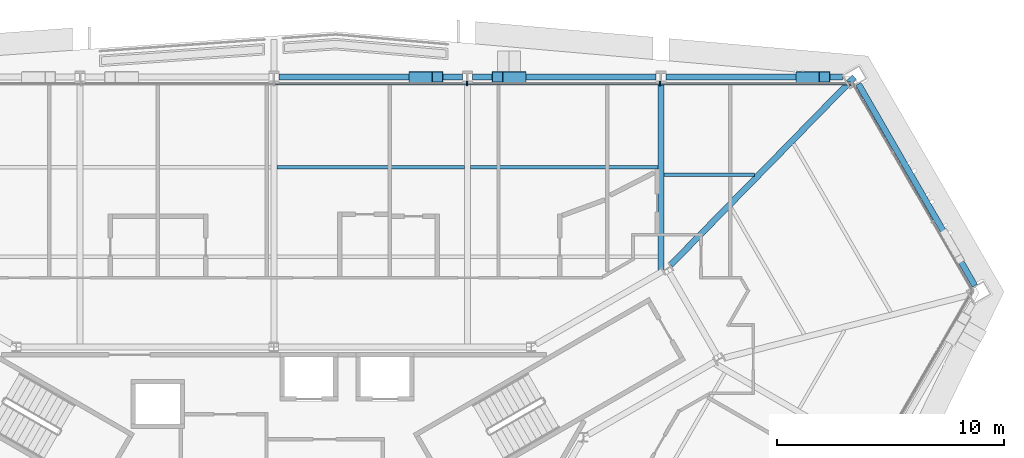
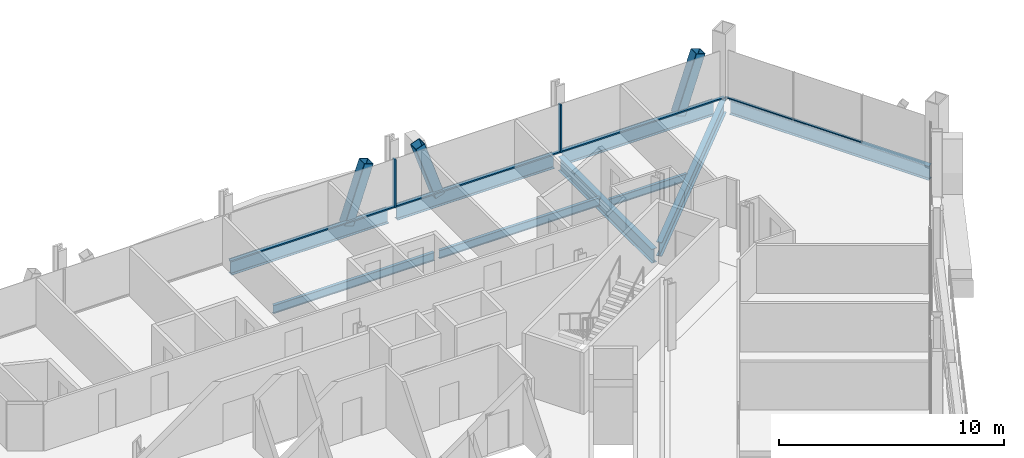
# One storey, part 9 of 18: 10 members, 9 beams, 2 elements without a shape of their own.
"""IFC4 building model written with IfcOpenShell, lengths in metres."""

import ifcopenshell
import ifcopenshell.guid

model = None  # the IFC model being written
_history = None  # IfcOwnerHistory: only IFC2X3 demands one
_inside = {}  # id of a spatial element -> (the spatial element, [elements in it])
_under = {}  # id of a project, library or spatial element -> (it, [spatial elements below it])
_declared = {}  # id of a project -> (the project, [libraries it declares])
_typed = {}  # id of a type object -> (the type object, [elements of that type])
_made_of = {}  # id of a material, layer set ... -> (it, [elements and type objects made of it])


def new_model(schema):
    """Start an empty IFC model of exactly this schema.

    Asked for "IFC4X3", IfcOpenShell would pick the latest addendum, in which some entities
    have other attributes; the version numbers below select the first issue.
    IFC2X3 requires an IfcOwnerHistory on every rooted entity: one is made here for all.
    """
    global model, _history
    if schema == "IFC4X3":
        model = ifcopenshell.file(schema_version=(4, 3, 0, 0))
    else:
        model = ifcopenshell.file(schema=schema)
    _inside.clear()
    _under.clear()
    _declared.clear()
    _typed.clear()
    _made_of.clear()
    _history = None
    if model.schema == "IFC2X3":
        org = make("IfcOrganization", Name="unknown")
        user = make(
            "IfcPersonAndOrganization",
            ThePerson=make("IfcPerson", FamilyName="unknown"),
            TheOrganization=org,
        )
        app = make(
            "IfcApplication",
            ApplicationDeveloper=org,
            Version="unknown",
            ApplicationFullName="unknown",
            ApplicationIdentifier="unknown",
        )
        _history = make(
            "IfcOwnerHistory",
            OwningUser=user,
            OwningApplication=app,
            ChangeAction="ADDED",
            CreationDate=0,
        )
    return model


def make(cls, **values):
    """One entity of the class cls with the attributes given. An attribute that is None is left unset."""
    return model.create_entity(
        cls, **{name: value for name, value in values.items() if value is not None}
    )


def rooted(cls, **values):
    """An entity with a GlobalId (a new one), such as an element, a storey or a relation."""
    return make(cls, GlobalId=ifcopenshell.guid.new(), OwnerHistory=_history, **values)


def si_unit(unit_type, name, prefix=None):
    """IfcSIUnit, for example si_unit("LENGTHUNIT", "METRE", prefix="MILLI")."""
    return make("IfcSIUnit", UnitType=unit_type, Prefix=prefix, Name=name)


def assignment(units):
    """IfcUnitAssignment: the units of a project."""
    return None if units is None else make("IfcUnitAssignment", Units=units)


def point(xyz):
    """IfcCartesianPoint."""
    return None if xyz is None else make("IfcCartesianPoint", Coordinates=xyz)


def direction(xyz):
    """IfcDirection."""
    return None if xyz is None else make("IfcDirection", DirectionRatios=xyz)


def frame(location, z_axis=None, x_axis=None):
    """IfcAxis2Placement3D, a coordinate frame: its origin and axes. An axis left out is left unset."""
    return make(
        "IfcAxis2Placement3D",
        Location=point(location),
        Axis=direction(z_axis),
        RefDirection=direction(x_axis),
    )


def frame_2d(location, x_axis=None):
    """IfcAxis2Placement2D, a coordinate frame in the plane: its origin and x axis."""
    return make(
        "IfcAxis2Placement2D", Location=point(location), RefDirection=direction(x_axis)
    )


def origin():
    """The frame at (0, 0, 0) with its axes left unset."""
    return frame((0.0, 0.0, 0.0))


def origin_2d():
    """The frame at (0, 0) in the plane with its x axis left unset."""
    return frame_2d((0.0, 0.0))


def place(relative_to, where):
    """IfcLocalPlacement: puts the frame where relative to a parent placement (None: the world)."""
    return make(
        "IfcLocalPlacement", PlacementRelTo=relative_to, RelativePlacement=where
    )


def context(
    kind, dimensions, precision=None, world=None, true_north=None, identifier=None
):
    """IfcGeometricRepresentationContext, for example the 3D "Model" context."""
    return make(
        "IfcGeometricRepresentationContext",
        ContextIdentifier=identifier,
        ContextType=kind,
        CoordinateSpaceDimension=dimensions,
        Precision=precision,
        WorldCoordinateSystem=world,
        TrueNorth=true_north,
    )


def subcontext(parent, identifier, kind, view, scale=None):
    """IfcGeometricRepresentationSubContext, for example "Body" below "Model"."""
    return make(
        "IfcGeometricRepresentationSubContext",
        ContextIdentifier=identifier,
        ContextType=kind,
        ParentContext=parent,
        TargetScale=scale,
        TargetView=view,
    )


def project(units=None, contexts=None):
    """IfcProject with its units and contexts."""
    return rooted(
        "IfcProject",
        Name="project",
        RepresentationContexts=contexts,
        UnitsInContext=assignment(units),
    )


def spatial(cls, under=None, at=None, **own):
    """A site, building, storey or space (cls), placed at a placement, below another one or the project."""
    s = rooted(cls, ObjectPlacement=at, **own)
    if under is not None:
        _under.setdefault(under.id(), (under, []))[1].append(s)
    return s


def profile(cls, at=None, kind="AREA", **sizes):
    """A parametric profile (cls). Its sizes go by their IFC names, for example OverallWidth=200.0."""
    return make(cls, ProfileType=kind, Position=at, **sizes)


def rectangle(**sizes):
    """IfcRectangleProfileDef."""
    return profile("IfcRectangleProfileDef", **sizes)


def hollow_rectangle(**sizes):
    """IfcRectangleHollowProfileDef."""
    return profile("IfcRectangleHollowProfileDef", **sizes)


def i_section(**sizes):
    """IfcIShapeProfileDef."""
    return profile("IfcIShapeProfileDef", **sizes)


def extrude(swept, where, along, depth):
    """IfcExtrudedAreaSolid: the profile swept, set in the frame where, extruded along a direction by depth."""
    return make(
        "IfcExtrudedAreaSolid",
        SweptArea=swept,
        Position=where,
        ExtrudedDirection=direction(along),
        Depth=depth,
    )


def shape(context_of_items, identifier, shape_type, items):
    """IfcShapeRepresentation: the items that make up one representation, for example the "Body"."""
    return make(
        "IfcShapeRepresentation",
        ContextOfItems=context_of_items,
        RepresentationIdentifier=identifier,
        RepresentationType=shape_type,
        Items=items,
    )


def material(Name=None, Category=None):
    """IfcMaterial."""
    return make("IfcMaterial", Name=Name, Category=Category)


def material_profile(
    of_material, cross_section, Name=None, Category=None, Priority=None
):
    """IfcMaterialProfile: a cross section and its material."""
    return make(
        "IfcMaterialProfile",
        Name=Name,
        Material=of_material,
        Profile=cross_section,
        Priority=Priority,
        Category=Category,
    )


def profile_set(profiles, Name=None, composite=None):
    """IfcMaterialProfileSet."""
    return make(
        "IfcMaterialProfileSet",
        Name=Name,
        MaterialProfiles=profiles,
        CompositeProfile=composite,
    )


def made_of(thing, what):
    """Note that an element or type object is made of a material, layer set ...; save() writes the relation."""
    if what is not None:
        _made_of.setdefault(what.id(), (what, []))[1].append(thing)
    return thing


def type_object(cls, material=None, **own):
    """A type object (cls), such as IfcWallType, which elements share."""
    return made_of(rooted(cls, **own), material)


def element(
    cls,
    number,
    at=None,
    inside=None,
    cuts=None,
    type_object=None,
    material=None,
    context=None,
    identifier="Body",
    shape_type=None,
    held_by="IfcProductDefinitionShape",
    body=None,
    shapes=None,
    **own,
):
    """One element of the class cls, such as IfcWall. Its Tag is "e" and its number.

    at: its placement. inside: the storey or other place that contains it. cuts: it is an
    opening in that element (IfcRelVoidsElement). A single representation is given by context,
    identifier, shape_type and body (its items); several are given by shapes. held_by: the class
    of the entity that holds the representations. save() writes the other relations.
    """
    e = rooted(cls, Tag="e%d" % number, ObjectPlacement=at, **own)
    if body is not None:
        shapes = [shape(context, identifier, shape_type, body)]
    if shapes is not None:
        e.Representation = make(held_by, Representations=shapes)
    if inside is not None:
        _inside.setdefault(inside.id(), (inside, []))[1].append(e)
    if cuts is not None:
        rooted(
            "IfcRelVoidsElement", RelatingBuildingElement=cuts, RelatedOpeningElement=e
        )
    if type_object is not None:
        _typed.setdefault(type_object.id(), (type_object, []))[1].append(e)
    return made_of(e, material)


def aggregate(whole, parts):
    """IfcRelAggregates: a whole, such as a stair, and the parts it consists of."""
    return rooted("IfcRelAggregates", RelatingObject=whole, RelatedObjects=parts)


def save(model, path):
    """Write the relations noted so far, then the file.

    IfcRelAggregates (storeys below a building ...), IfcRelContainedInSpatialStructure (elements
    in a storey), IfcRelDefinesByType, IfcRelAssociatesMaterial and IfcRelDeclares: one each for
    every whole, place, type object, material and project.
    """
    for whole, parts in _under.values():
        aggregate(whole, parts)
    for where, things in _inside.values():
        rooted(
            "IfcRelContainedInSpatialStructure",
            RelatedElements=things,
            RelatingStructure=where,
        )
    for kind, things in _typed.values():
        rooted("IfcRelDefinesByType", RelatedObjects=things, RelatingType=kind)
    for what, things in _made_of.values():
        rooted("IfcRelAssociatesMaterial", RelatedObjects=things, RelatingMaterial=what)
    for by, libraries in _declared.values():
        rooted("IfcRelDeclares", RelatingContext=by, RelatedDefinitions=libraries)
    model.write(path)


model = new_model("IFC4")

# Units and contexts
model_context = context("Model", 3, precision=1e-05, world=origin(), true_north=direction((0.0, 1.0)))
body_context = subcontext(model_context, "Body", "Model", "MODEL_VIEW")
ifc_project = project(units=[si_unit("LENGTHUNIT", "METRE"), si_unit("AREAUNIT", "SQUARE_METRE"), si_unit("VOLUMEUNIT", "CUBIC_METRE"), si_unit("PLANEANGLEUNIT", "RADIAN"), si_unit("MASSUNIT", "GRAM", prefix="KILO")], contexts=[model_context])

# Site, building, storey
site_placement = place(None, origin())
site = spatial("IfcSite", under=ifc_project, at=site_placement, CompositionType="ELEMENT")
building_placement = place(site_placement, origin())
building = spatial("IfcBuilding", under=site, at=building_placement, Name="Verrane Prism Tower", CompositionType="ELEMENT")
storey_placement = place(building_placement, frame((0.0, 0.0, 54.800048828125)))
storey = spatial("IfcBuildingStorey", under=building, at=storey_placement, Name="L11", CompositionType="ELEMENT", Elevation=54.800048828125)

# Beams
ifc_material_1 = material(Name="Steel A992", Category="steel")
ifc_material_profile_1 = material_profile(ifc_material_1, i_section(OverallWidth=0.2666015625, OverallDepth=0.76708984375, WebThickness=0.014892578125, FlangeThickness=0.023681640625, FilletRadius=0.0166015625, at=origin_2d()), Name="W30x124")
ifc_profile_set_1 = profile_set([ifc_material_profile_1], Name="Steel A992")
beam_type_1 = type_object("IfcBeamType", Name="Chamfer spandrel beam W30x124", PredefinedType="SPANDREL", material=ifc_profile_set_1)
beam_1_placement = place(storey_placement, frame((30.84521484375, 11.893310546875, -0.54345703125), z_axis=(-0.499796720239, 0.866142735603, 0.0), x_axis=(-0.866142735603, -0.499796720239, 0.0)))
element("IfcBeam", 1, at=beam_1_placement, inside=storey, type_object=beam_type_1, Name="Chamfer spandrel beam L11", PredefinedType="SPANDREL", context=body_context, shape_type="SweptSolid", body=[
    extrude(i_section(OverallWidth=0.2666015625, OverallDepth=0.76708984375, WebThickness=0.014892578125, FlangeThickness=0.023681640625, FilletRadius=0.0166015625, at=origin_2d()), origin(), (0.0, 0.0, 1.0), 10.244873046875),
])
ifc_material_2 = material(Name="Steel A992", Category="steel")
ifc_material_profile_2 = material_profile(ifc_material_2, i_section(OverallWidth=0.2666015625, OverallDepth=0.76708984375, WebThickness=0.014892578125, FlangeThickness=0.023681640625, FilletRadius=0.0166015625, at=origin_2d()), Name="W30x124")
ifc_profile_set_2 = profile_set([ifc_material_profile_2], Name="Steel A992")
beam_type_2 = type_object("IfcBeamType", Name="Corner girder W30x124", PredefinedType="BEAM", material=ifc_profile_set_2)
beam_2_placement = place(storey_placement, frame((25.548828125, 21.06884765625, -0.603515625), z_axis=(-0.699429302474, -0.714701791547, 0.0), x_axis=(0.714701791547, -0.699429302474, 0.0)))
element("IfcBeam", 2, at=beam_2_placement, inside=storey, type_object=beam_type_2, Name="Corner girder L11", PredefinedType="BEAM", context=body_context, shape_type="SweptSolid", body=[
    extrude(i_section(OverallWidth=0.2666015625, OverallDepth=0.76708984375, WebThickness=0.014892578125, FlangeThickness=0.023681640625, FilletRadius=0.0166015625, at=origin_2d()), origin(), (0.0, 0.0, 1.0), 11.5576171875),
])

# Members
ifc_material_3 = material(Name="Steel A1085 Grade A", Category="steel")
ifc_material_profile_3 = material_profile(ifc_material_3, hollow_rectangle(XDim=0.508056640625, YDim=0.508056640625, WallThickness=0.025390625, InnerFilletRadius=0.0126953125, OuterFilletRadius=0.0380859375, at=origin_2d()), Name="HSS20x20x1")
ifc_profile_set_3 = profile_set([ifc_material_profile_3], Name="Steel A1085 Grade A")
member_type_1 = type_object("IfcMemberType", Name="Facade brace HSS20x20x1", PredefinedType="BRACE", material=ifc_profile_set_3)
member_1_placement = place(storey_placement, frame((23.2158203125, 21.070068359375, -0.24267578125), z_axis=(0.320284161524, 0.0, 0.947321516634), x_axis=(0.0, 1.0, 0.0)))
element("IfcMember", 3, at=member_1_placement, inside=storey, type_object=member_type_1, Name="Facade brace N0 L11", PredefinedType="BRACE", context=body_context, shape_type="SweptSolid", body=[
    extrude(hollow_rectangle(XDim=0.508056640625, YDim=0.508056640625, WallThickness=0.025390625, InnerFilletRadius=0.0126953125, OuterFilletRadius=0.0380859375, at=origin_2d()), origin(), (0.0, 0.0, 1.0), 3.175537109375),
])
member_2_placement = place(storey_placement, frame((10.8515625, 21.070068359375, -0.24267578125), z_axis=(-0.319939128086, 0.0, 0.947438100522), x_axis=(0.0, -1.0, 0.0)))
element("IfcMember", 4, at=member_2_placement, inside=storey, type_object=member_type_1, Name="Facade brace N1 L11", PredefinedType="BRACE", context=body_context, shape_type="SweptSolid", body=[
    extrude(hollow_rectangle(XDim=0.508056640625, YDim=0.508056640625, WallThickness=0.025390625, InnerFilletRadius=0.0126953125, OuterFilletRadius=0.0380859375, at=origin_2d()), origin(), (0.0, 0.0, 1.0), 3.17529296875),
])
member_3_placement = place(storey_placement, frame((6.185791015625, 21.070068359375, -0.24267578125), z_axis=(0.320284161524, 0.0, 0.947321516634), x_axis=(0.0, 1.0, 0.0)))
element("IfcMember", 5, at=member_3_placement, inside=storey, type_object=member_type_1, Name="Facade brace N2 L11", PredefinedType="BRACE", context=body_context, shape_type="SweptSolid", body=[
    extrude(hollow_rectangle(XDim=0.508056640625, YDim=0.508056640625, WallThickness=0.025390625, InnerFilletRadius=0.0126953125, OuterFilletRadius=0.0380859375, at=origin_2d()), origin(), (0.0, 0.0, 1.0), 3.175537109375),
])

# Beams
ifc_material_4 = material(Name="Steel A992", Category="steel")
ifc_material_profile_4 = material_profile(ifc_material_4, i_section(OverallWidth=0.140380859375, OverallDepth=0.40380859375, WebThickness=0.007080078125, FlangeThickness=0.01123046875, FilletRadius=0.01025390625, at=origin_2d()), Name="W16x31")
ifc_profile_set_4 = profile_set([ifc_material_profile_4], Name="Steel A992")
beam_type_3 = type_object("IfcBeamType", Name="Floor beam W16x31", PredefinedType="BEAM", material=ifc_profile_set_4)
beam_3_placement = place(storey_placement, frame((17.16357421875, 16.77490234375, -0.362060546875), z_axis=(1.0, 0.0, 0.0), x_axis=(0.0, 1.0, 0.0)))
element("IfcBeam", 6, at=beam_3_placement, inside=storey, type_object=beam_type_3, Name="Floor beam L11", PredefinedType="BEAM", context=body_context, shape_type="SweptSolid", body=[
    extrude(i_section(OverallWidth=0.140380859375, OverallDepth=0.40380859375, WebThickness=0.007080078125, FlangeThickness=0.01123046875, FilletRadius=0.01025390625, at=origin_2d()), origin(), (0.0, 0.0, 1.0), 3.996337890625),
])
ifc_material_5 = material(Name="Steel A992", Category="steel")
ifc_material_profile_5 = material_profile(ifc_material_5, i_section(OverallWidth=0.15234375, OverallDepth=0.449462890625, WebThickness=0.007568359375, FlangeThickness=0.0107421875, FilletRadius=0.01025390625, at=origin_2d()), Name="W18x35")
ifc_profile_set_5 = profile_set([ifc_material_profile_5], Name="Steel A992")
beam_type_4 = type_object("IfcBeamType", Name="Floor beam W18x35", PredefinedType="BEAM", material=ifc_profile_set_5)
beam_4_placement = place(storey_placement, frame((8.653564453125, 17.11328125, -0.384765625), z_axis=(1.0, 0.0, 0.0), x_axis=(0.0, 1.0, 0.0)))
element("IfcBeam", 7, at=beam_4_placement, inside=storey, type_object=beam_type_4, Name="Floor beam L11", PredefinedType="BEAM", context=body_context, shape_type="SweptSolid", body=[
    extrude(i_section(OverallWidth=0.15234375, OverallDepth=0.449462890625, WebThickness=0.007568359375, FlangeThickness=0.0107421875, FilletRadius=0.01025390625, at=origin_2d()), origin(), (0.0, 0.0, 1.0), 8.242919921875),
])
beam_5_placement = place(storey_placement, frame((0.133544921875, 17.11328125, -0.384765625), z_axis=(1.0, 0.0, 0.0), x_axis=(0.0, 1.0, 0.0)))
element("IfcBeam", 8, at=beam_5_placement, inside=storey, type_object=beam_type_4, Name="Floor beam L11", PredefinedType="BEAM", context=body_context, shape_type="SweptSolid", body=[
    extrude(i_section(OverallWidth=0.15234375, OverallDepth=0.449462890625, WebThickness=0.007568359375, FlangeThickness=0.0107421875, FilletRadius=0.01025390625, at=origin_2d()), origin(), (0.0, 0.0, 1.0), 8.2529296875),
])

# Curtain wall, members
ifc_material_6 = material(Name="Aluminium framed insulated glazing", Category="aluminium")
curtain_wall_type_1 = type_object("IfcCurtainWallType", Name="Curtain wall CW-A 8400 module", PredefinedType="NOTDEFINED", material=ifc_material_6)
curtain_wall_1_placement = place(storey_placement, origin())
curtain_wall_1 = element("IfcCurtainWall", 9, at=curtain_wall_1_placement, inside=storey, type_object=curtain_wall_type_1, Name="Glazed curtain wall north face L11", PredefinedType="NOTDEFINED")
ifc_material_7 = material(Name="Aluminium alloy 6063-T6", Category="aluminium")
ifc_material_profile_6 = material_profile(ifc_material_7, rectangle(XDim=0.199951171875, YDim=0.070068359375, at=origin_2d()), Name="Mullion 70x200 aluminium")
ifc_profile_set_6 = profile_set([ifc_material_profile_6], Name="Aluminium alloy 6063-T6")
member_type_2 = type_object("IfcMemberType", Name="Mullion 70x200 aluminium", PredefinedType="MULLION", material=ifc_profile_set_6)
member_4_placement = place(storey_placement, frame((16.9833984375, 20.791015625, 0.0), z_axis=(0.0, 0.0, 1.0), x_axis=(0.0, -1.0, 0.0)))
member_4 = element("IfcMember", 10, at=member_4_placement, type_object=member_type_2, Name="CW09.2 mullion 2", PredefinedType="MULLION", context=body_context, shape_type="SweptSolid", body=[
    extrude(rectangle(XDim=0.199951171875, YDim=0.070068359375, at=origin_2d()), origin(), (0.0, 0.0, 1.0), 2.61279296875),
])
member_5_placement = place(storey_placement, frame((8.49169921875, 20.791015625, 0.0), z_axis=(0.0, 0.0, 1.0), x_axis=(0.0, -1.0, 0.0)))
member_5 = element("IfcMember", 11, at=member_5_placement, type_object=member_type_2, Name="CW09.2 mullion 3", PredefinedType="MULLION", context=body_context, shape_type="SweptSolid", body=[
    extrude(rectangle(XDim=0.199951171875, YDim=0.070068359375, at=origin_2d()), origin(), (0.0, 0.0, 1.0), 2.61279296875),
])

# Beams
ifc_material_8 = material(Name="Steel A992", Category="steel")
ifc_material_profile_7 = material_profile(ifc_material_8, i_section(OverallWidth=0.2666015625, OverallDepth=0.76708984375, WebThickness=0.014892578125, FlangeThickness=0.023681640625, FilletRadius=0.0166015625, at=origin_2d()), Name="W30x124")
ifc_profile_set_7 = profile_set([ifc_material_profile_7], Name="Steel A992")
beam_type_5 = type_object("IfcBeamType", Name="Radial girder W30x124", PredefinedType="BEAM", material=ifc_profile_set_7)
beam_6_placement = place(storey_placement, frame((17.030029296875, 20.8046875, -0.603515625), z_axis=(0.0, -1.0, 0.0), x_axis=(1.0, 0.0, 0.0)))
element("IfcBeam", 12, at=beam_6_placement, inside=storey, type_object=beam_type_5, Name="Radial girder L11", PredefinedType="BEAM", context=body_context, shape_type="SweptSolid", body=[
    extrude(i_section(OverallWidth=0.2666015625, OverallDepth=0.76708984375, WebThickness=0.014892578125, FlangeThickness=0.023681640625, FilletRadius=0.0166015625, at=origin_2d()), origin(), (0.0, 0.0, 1.0), 8.3203125),
])
ifc_material_9 = material(Name="Steel A992", Category="steel")
ifc_material_profile_8 = material_profile(ifc_material_9, i_section(OverallWidth=0.2666015625, OverallDepth=0.7568359375, WebThickness=0.013916015625, FlangeThickness=0.019287109375, FilletRadius=0.0166015625, at=origin_2d()), Name="W30x108")
ifc_profile_set_8 = profile_set([ifc_material_profile_8], Name="Steel A992")
beam_type_6 = type_object("IfcBeamType", Name="Spandrel beam W30x108", PredefinedType="SPANDREL", material=ifc_profile_set_8)
beam_7_placement = place(storey_placement, frame((25.030517578125, 21.070068359375, -0.53857421875), z_axis=(-1.0, 0.0, 0.0), x_axis=(0.0, -1.0, 0.0)))
element("IfcBeam", 13, at=beam_7_placement, inside=storey, type_object=beam_type_6, Name="Spandrel beam L11", PredefinedType="SPANDREL", context=body_context, shape_type="SweptSolid", body=[
    extrude(i_section(OverallWidth=0.2666015625, OverallDepth=0.7568359375, WebThickness=0.013916015625, FlangeThickness=0.019287109375, FilletRadius=0.0166015625, at=origin_2d()), origin(), (0.0, 0.0, 1.0), 7.779541015625),
])
beam_8_placement = place(storey_placement, frame((16.80908203125, 21.070068359375, -0.53857421875), z_axis=(-1.0, 0.0, 0.0), x_axis=(0.0, -1.0, 0.0)))
element("IfcBeam", 14, at=beam_8_placement, inside=storey, type_object=beam_type_6, Name="Spandrel beam L11", PredefinedType="SPANDREL", context=body_context, shape_type="SweptSolid", body=[
    extrude(i_section(OverallWidth=0.2666015625, OverallDepth=0.7568359375, WebThickness=0.013916015625, FlangeThickness=0.019287109375, FilletRadius=0.0166015625, at=origin_2d()), origin(), (0.0, 0.0, 1.0), 8.068115234375),
])
beam_9_placement = place(storey_placement, frame((8.299072265625, 21.070068359375, -0.53857421875), z_axis=(-1.0, 0.0, 0.0), x_axis=(0.0, -1.0, 0.0)))
element("IfcBeam", 15, at=beam_9_placement, inside=storey, type_object=beam_type_6, Name="Spandrel beam L11", PredefinedType="SPANDREL", context=body_context, shape_type="SweptSolid", body=[
    extrude(i_section(OverallWidth=0.2666015625, OverallDepth=0.7568359375, WebThickness=0.013916015625, FlangeThickness=0.019287109375, FilletRadius=0.0166015625, at=origin_2d()), origin(), (0.0, 0.0, 1.0), 8.078125),
])

# Curtain wall, members
ifc_material_10 = material(Name="Aluminium framed insulated glazing", Category="aluminium")
curtain_wall_type_2 = type_object("IfcCurtainWallType", Name="Curtain wall CW-C 4200 module", PredefinedType="NOTDEFINED", material=ifc_material_10)
curtain_wall_2_placement = place(storey_placement, origin())
curtain_wall_2 = element("IfcCurtainWall", 16, at=curtain_wall_2_placement, inside=storey, type_object=curtain_wall_type_2, Name="Glazed curtain wall north-east corner L11", PredefinedType="NOTDEFINED")
ifc_material_11 = material(Name="Aluminium alloy 6063-T6", Category="aluminium")
ifc_material_profile_9 = material_profile(ifc_material_11, rectangle(XDim=0.10009765625, YDim=0.050048828125, at=origin_2d()), Name="Transom 50x100 aluminium")
ifc_profile_set_9 = profile_set([ifc_material_profile_9], Name="Aluminium alloy 6063-T6")
member_type_3 = type_object("IfcMemberType", Name="Transom 50x100 aluminium", PredefinedType="USERDEFINED", material=ifc_profile_set_9)
member_6_placement = place(storey_placement, frame((28.974609375, 14.729736328125, 0.02490234375), z_axis=(-0.499976799773, 0.866038798027, 0.0), x_axis=(-0.866038798027, -0.499976799773, 0.0)))
member_6 = element("IfcMember", 17, at=member_6_placement, type_object=member_type_3, Name="CW09.1 transom 2", ObjectType="TRANSOM", PredefinedType="USERDEFINED", context=body_context, shape_type="SweptSolid", body=[
    extrude(rectangle(XDim=0.10009765625, YDim=0.050048828125, at=origin_2d()), origin(), (0.0, 0.0, 1.0), 3.462158203125),
])
member_7_placement = place(storey_placement, frame((27.21875, 17.771240234375, 0.02490234375), z_axis=(-0.500039619691, 0.866002528137, 0.0), x_axis=(-0.866002528137, -0.500039619691, 0.0)))
member_7 = element("IfcMember", 18, at=member_7_placement, type_object=member_type_3, Name="CW09.1 transom 3", ObjectType="TRANSOM", PredefinedType="USERDEFINED", context=body_context, shape_type="SweptSolid", body=[
    extrude(rectangle(XDim=0.10009765625, YDim=0.050048828125, at=origin_2d()), origin(), (0.0, 0.0, 1.0), 3.487060546875),
])
aggregate(curtain_wall_2, [member_6, member_7])

# Member
ifc_material_12 = material(Name="Aluminium alloy 6063-T6", Category="aluminium")
ifc_material_profile_10 = material_profile(ifc_material_12, rectangle(XDim=0.14990234375, YDim=0.070068359375, at=origin_2d()), Name="Transom 70x150 aluminium")
ifc_profile_set_10 = profile_set([ifc_material_profile_10], Name="Aluminium alloy 6063-T6")
member_type_4 = type_object("IfcMemberType", Name="Transom 70x150 aluminium", PredefinedType="USERDEFINED", material=ifc_profile_set_10)
member_8_placement = place(storey_placement, frame((25.4052734375, 20.791015625, 0.034912109375), z_axis=(-1.0, 0.0, 0.0), x_axis=(0.0, -1.0, 0.0)))
member_8 = element("IfcMember", 19, at=member_8_placement, type_object=member_type_4, Name="CW09.2 transom 1", ObjectType="TRANSOM", PredefinedType="USERDEFINED", context=body_context, shape_type="SweptSolid", body=[
    extrude(rectangle(XDim=0.14990234375, YDim=0.070068359375, at=origin_2d()), origin(), (0.0, 0.0, 1.0), 8.38671875),
])

member_9_placement = place(storey_placement, frame((16.948486328125, 20.791015625, 0.034912109375), z_axis=(-1.0, 0.0, 0.0), x_axis=(0.0, -1.0, 0.0)))
member_9 = element("IfcMember", 20, at=member_9_placement, type_object=member_type_4, Name="CW09.2 transom 2", ObjectType="TRANSOM", PredefinedType="USERDEFINED", context=body_context, shape_type="SweptSolid", body=[
    extrude(rectangle(XDim=0.14990234375, YDim=0.070068359375, at=origin_2d()), origin(), (0.0, 0.0, 1.0), 8.421875),
])

member_10_placement = place(storey_placement, frame((8.456787109375, 20.791015625, 0.034912109375), z_axis=(-1.0, 0.0, 0.0), x_axis=(0.0, -1.0, 0.0)))
member_10 = element("IfcMember", 21, at=member_10_placement, type_object=member_type_4, Name="CW09.2 transom 3", ObjectType="TRANSOM", PredefinedType="USERDEFINED", context=body_context, shape_type="SweptSolid", body=[
    extrude(rectangle(XDim=0.14990234375, YDim=0.070068359375, at=origin_2d()), origin(), (0.0, 0.0, 1.0), 8.421875),
])

aggregate(curtain_wall_1, [member_4, member_5, member_8, member_9, member_10])

save(model, "model.ifc")
